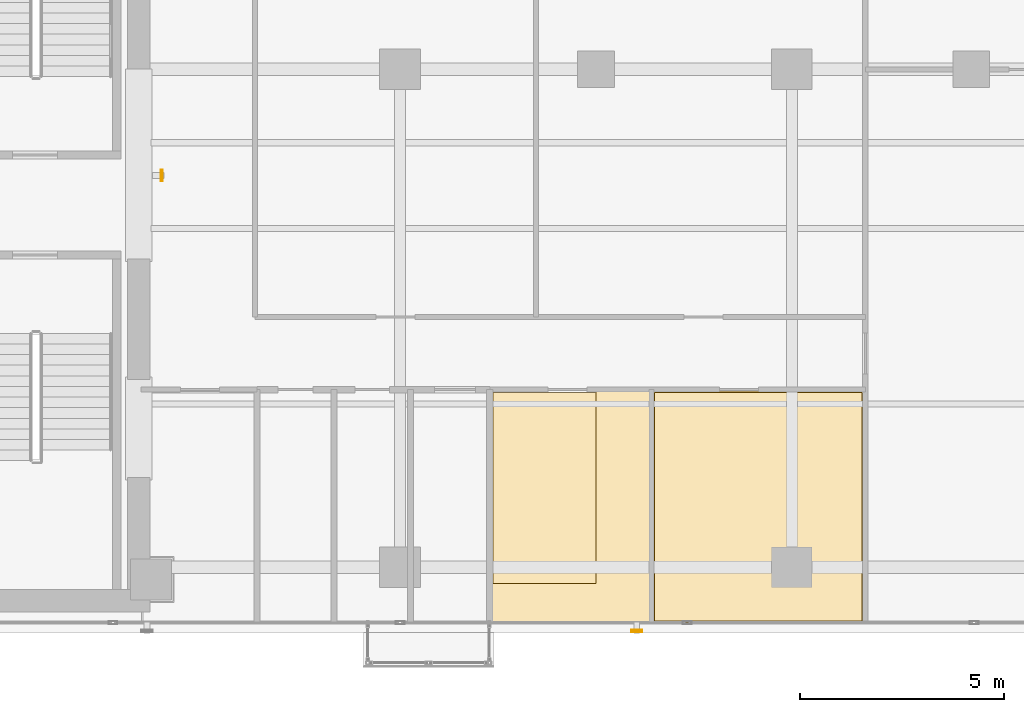
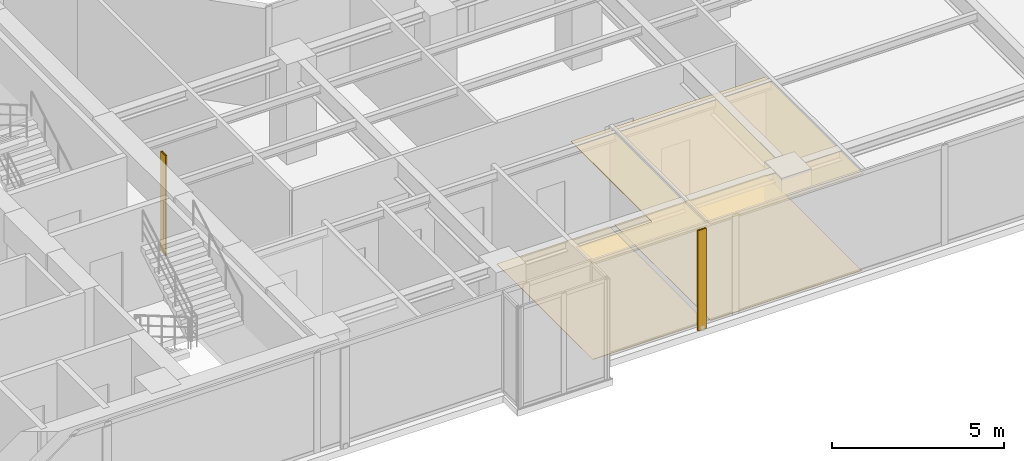
# One storey, part 21 of 22: 4 coverings, 2 shading devices.
"""IFC4 building model written with IfcOpenShell, lengths in metres."""

from ifc_helpers import new_model, si_unit, direction, frame, origin, origin_2d, place, context, subcontext, project, spatial, polyline, hollow_rectangle, outline, extrude, material, layer, layer_set, material_profile, profile_set, type_object, element, save


model = new_model("IFC4")

# Units and contexts
model_context = context("Model", 3, precision=1e-05, world=origin(), true_north=direction((0.0, 1.0)))
body_context = subcontext(model_context, "Body", "Model", "MODEL_VIEW")
ifc_project = project(units=[si_unit("LENGTHUNIT", "METRE"), si_unit("AREAUNIT", "SQUARE_METRE"), si_unit("VOLUMEUNIT", "CUBIC_METRE"), si_unit("PLANEANGLEUNIT", "RADIAN"), si_unit("MASSUNIT", "GRAM", prefix="KILO")], contexts=[model_context])

# Site, building, storey
site_placement = place(None, origin())
site = spatial("IfcSite", under=ifc_project, at=site_placement, CompositionType="ELEMENT")
building_placement = place(site_placement, origin())
building = spatial("IfcBuilding", under=site, at=building_placement, Name="Kolvaren Waterfront Exchange", CompositionType="ELEMENT")
storey_placement = place(building_placement, frame((0.0, 0.0, 246.300048828125)))
storey = spatial("IfcBuildingStorey", under=building, at=storey_placement, Name="L63", CompositionType="ELEMENT", Elevation=246.300048828125)

# Coverings
ifc_material_1 = material(Name="Mineral fibre acoustic ceiling tile")
ifc_layer_1 = layer(ifc_material_1, 0.02490234375, Name="Mineral fibre acoustic ceiling tile")
ifc_layer_set_1 = layer_set([ifc_layer_1], Name="Mineral fibre acoustic ceiling tile")
covering_type_1 = type_object("IfcCoveringType", Name="ARC-CEIL-ACOUSTIC-25", PredefinedType="CEILING", material=ifc_layer_set_1)
covering_1_placement = place(storey_placement, frame((0.0, 0.0, 3.445068359375)))
element("IfcCovering", 1, at=covering_1_placement, inside=storey, type_object=covering_type_1, Name="L63 acoustic suspended ceiling 2", PredefinedType="CEILING", context=body_context, shape_type="SweptSolid", body=[
    extrude(outline(polyline([(33.31494140625, 3.844970703125), (33.31494140625, 9.514892578125), (32.0, 9.514892578125), (32.0, 4.800048828125), (29.445068359375, 4.800048828125), (29.445068359375, 3.844970703125), (33.31494140625, 3.844970703125)])), origin(), (0.0, 0.0, 1.0), 0.02490234375),
])
covering_2_placement = place(storey_placement, frame((0.0, 0.0, 3.445068359375)))
element("IfcCovering", 2, at=covering_2_placement, inside=storey, type_object=covering_type_1, Name="L63 acoustic suspended ceiling 3", PredefinedType="CEILING", context=body_context, shape_type="SweptSolid", body=[
    extrude(outline(polyline([(38.554931640625, 3.844970703125), (38.554931640625, 9.514892578125), (33.405029296875, 9.514892578125), (33.405029296875, 3.844970703125), (38.554931640625, 3.844970703125)])), origin(), (0.0, 0.0, 1.0), 0.02490234375),
])

# Shading devices
ifc_material_2 = material(Name="Anodised bronze aluminium 6063-T6", Category="aluminium")
ifc_material_profile = material_profile(ifc_material_2, hollow_rectangle(XDim=0.054931640625, YDim=0.280029296875, WallThickness=0.00439453125, at=origin_2d()), Name="BRZ-FIN-280x55x4.5")
ifc_profile_set = profile_set([ifc_material_profile], Name="Anodised bronze aluminium 6063-T6")
shading_device_type = type_object("IfcShadingDeviceType", Name="ARC-FIN-280", PredefinedType="USERDEFINED", material=ifc_profile_set)
for number, where, z_axis, x_axis, name in (
    (3, (33.0, 3.639892578125, 0.0), (0.0, 0.0, 1.0), (0.0, -1.0, 0.0), "L63 anodised bronze solar shading fin FIN-L63-S3"),
    (4, (21.360107421875, 14.800048828125, 0.0), (0.0, 0.0, 1.0), (1.0, 0.0, 0.0), "L63 anodised bronze solar shading fin FIN-L63-E1"),
):
    element("IfcShadingDevice", number, at=place(storey_placement, frame(where, z_axis=z_axis, x_axis=x_axis)), inside=storey, type_object=shading_device_type, Name=name, ObjectType="SOLAR FIN", PredefinedType="USERDEFINED", context=body_context, shape_type="SweptSolid", body=[
        extrude(hollow_rectangle(XDim=0.054931640625, YDim=0.280029296875, WallThickness=0.00439453125, at=origin_2d()), origin(), (0.0, 0.0, 1.0), 3.56005859375),
    ])

# Coverings
ifc_material_3 = material(Name="Slip-resistant porcelain tile")
ifc_layer_2 = layer(ifc_material_3, 0.014892578125, Name="Slip-resistant porcelain tile")
ifc_layer_set_2 = layer_set([ifc_layer_2], Name="Slip-resistant porcelain tile")
covering_type_2 = type_object("IfcCoveringType", Name="ARC-FLR-PORC-15", PredefinedType="FLOORING", material=ifc_layer_set_2)
covering_3_placement = place(storey_placement, origin())
element("IfcCovering", 5, at=covering_3_placement, inside=storey, type_object=covering_type_2, Name="L63 floor finish 2", PredefinedType="FLOORING", context=body_context, shape_type="SweptSolid", body=[
    extrude(outline(polyline([(29.47998046875, 9.47998046875), (29.47998046875, 3.8798828125), (33.280029296875, 3.8798828125), (33.280029296875, 9.47998046875), (29.47998046875, 9.47998046875)])), origin(), (0.0, 0.0, 1.0), 0.014892578125),
])
covering_4_placement = place(storey_placement, origin())
element("IfcCovering", 6, at=covering_4_placement, inside=storey, type_object=covering_type_2, Name="L63 floor finish 3", PredefinedType="FLOORING", context=body_context, shape_type="SweptSolid", body=[
    extrude(outline(polyline([(33.43994140625, 9.47998046875), (33.43994140625, 3.8798828125), (38.52001953125, 3.8798828125), (38.52001953125, 9.47998046875), (33.43994140625, 9.47998046875)])), origin(), (0.0, 0.0, 1.0), 0.014892578125),
])

save(model, "model.ifc")
